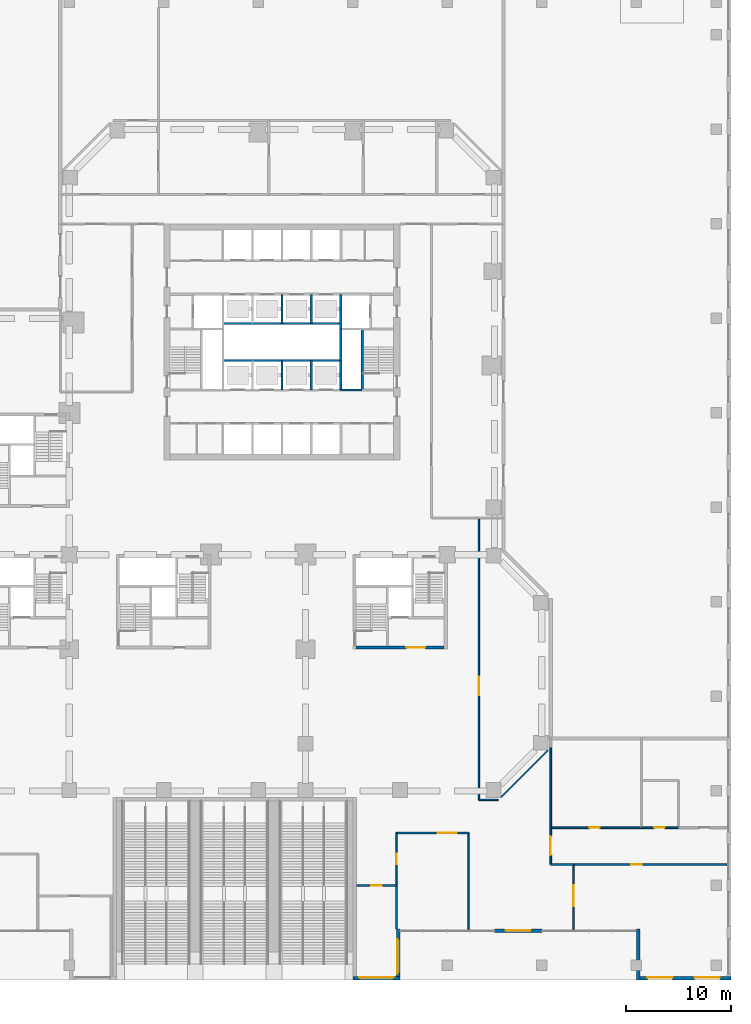
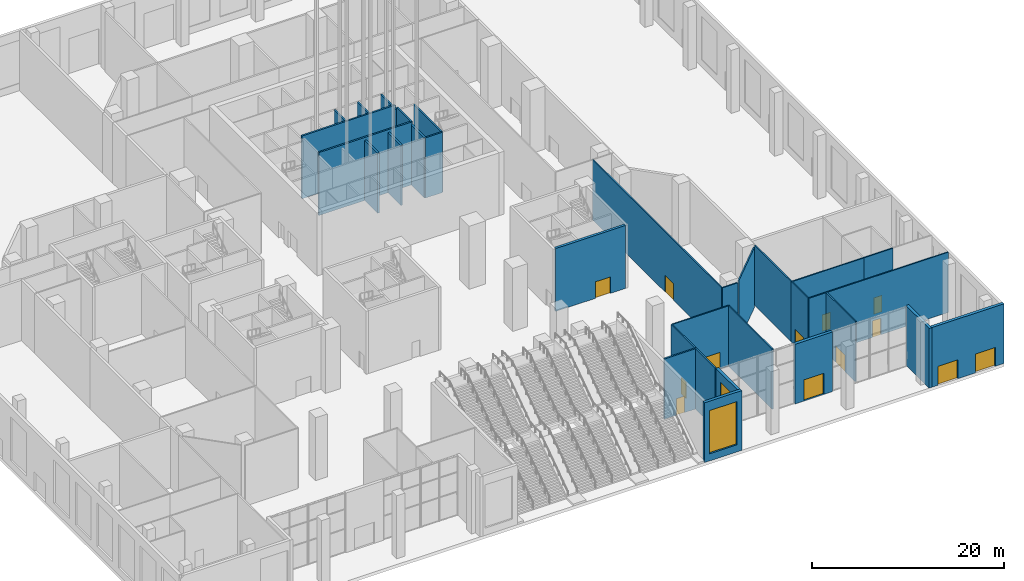
# One storey, part 12 of 32: 32 walls, 13 doors, 2 windows, 15 openings.
"""IFC4 building model written with IfcOpenShell, lengths in metres."""

from ifc_helpers import new_model, si_unit, direction, frame, frame_2d, origin, place, context, subcontext, project, spatial, rectangle, extrude, material, layer, layer_set, constituent, constituent_set, type_object, element, fill, save


model = new_model("IFC4")

# Units and contexts
model_context = context("Model", 3, precision=1e-05, world=origin(), true_north=direction((0.0, 1.0)))
body_context = subcontext(model_context, "Body", "Model", "MODEL_VIEW")
ifc_project = project(units=[si_unit("LENGTHUNIT", "METRE"), si_unit("AREAUNIT", "SQUARE_METRE"), si_unit("VOLUMEUNIT", "CUBIC_METRE"), si_unit("PLANEANGLEUNIT", "RADIAN"), si_unit("MASSUNIT", "GRAM", prefix="KILO")], contexts=[model_context])

# Site, building, storey
site_placement = place(None, origin())
site = spatial("IfcSite", under=ifc_project, at=site_placement, CompositionType="ELEMENT")
building_placement = place(site_placement, origin())
building = spatial("IfcBuilding", under=site, at=building_placement, Name="Quoin Convention Tower", CompositionType="ELEMENT")
storey_placement = place(building_placement, origin())
storey = spatial("IfcBuildingStorey", under=building, at=storey_placement, Name="L00", CompositionType="ELEMENT", Elevation=0.0)

# Wall, opening, window
ifc_material_1 = material(Name="Brick masonry", Category="masonry")
ifc_layer_1 = layer(ifc_material_1, 0.35009765625)
ifc_layer_set_1 = layer_set([ifc_layer_1], Name="Brick masonry")
wall_type_1 = type_object("IfcWallType", Name="Brick facade wall", PredefinedType="STANDARD", material=ifc_layer_set_1)
wall_1_placement = place(storey_placement, frame((63.0, 0.175048828125, 0.0), z_axis=(0.0, 0.0, 1.0), x_axis=(1.0, 0.0, 0.0)))
wall_1 = element("IfcWall", 1, at=wall_1_placement, inside=storey, type_object=wall_type_1, Name="fw-L00-63000_0", PredefinedType="STANDARD", context=body_context, shape_type="SweptSolid", body=[
    extrude(rectangle(XDim=4.5, YDim=0.35009765625, at=frame_2d((2.25, 0.0))), origin(), (0.0, 0.0, 1.0), 7.590087890625),
])
opening_1_placement = place(wall_1_placement, frame((0.60009765625, 0.0, 0.89990234375)))
opening_1 = element("IfcOpeningElement", 2, at=opening_1_placement, cuts=wall_1, Name="Opening W-06", PredefinedType="OPENING", context=body_context, shape_type="SweptSolid", body=[
    extrude(rectangle(XDim=3.300048828125, YDim=5.5, at=frame_2d((1.64990234375, 2.75))), frame((0.0, 0.18505859375, 0.0), z_axis=(0.0, -1.0, 0.0), x_axis=(1.0, 0.0, 0.0)), (0.0, 0.0, 1.0), 0.3701171875),
])
ifc_material_2 = material(Name="Aluminium", Category="aluminium")
ifc_constituent_1 = constituent(ifc_material_2, Name="Frame")
ifc_material_3 = material(Name="Insulated glass", Category="glass")
ifc_constituent_2 = constituent(ifc_material_3, Name="Glazing")
ifc_constituent_set_1 = constituent_set(constituents=[ifc_constituent_1, ifc_constituent_2], Name="Aluminium")
window_type = type_object("IfcWindowType", Name="Podium street window", PartitioningType="TRIPLE_PANEL_VERTICAL", PredefinedType="WINDOW", material=ifc_constituent_set_1)
window_1_placement = place(opening_1_placement, origin())
window_1 = element("IfcWindow", 3, at=window_1_placement, inside=storey, type_object=window_type, Name="win-L00-65250_175", OverallHeight=5.5, OverallWidth=3.300048828125, PartitioningType="SINGLE_PANEL", PredefinedType="WINDOW", context=body_context, shape_type="SweptSolid", body=[
    extrude(rectangle(XDim=3.300048828125, YDim=5.5, at=frame_2d((1.64990234375, 2.75))), frame((0.0, 0.0849609375, 0.0), z_axis=(0.0, -1.0, 0.0), x_axis=(1.0, 0.0, 0.0)), (0.0, 0.0, 1.0), 0.06005859375),
])
fill(opening_1, window_1)

wall_2_placement = place(storey_placement, frame((67.324951171875, 0.0, 0.0), z_axis=(0.0, 0.0, 1.0), x_axis=(0.0, 1.0, 0.0)))
wall_2 = element("IfcWall", 4, at=wall_2_placement, inside=storey, type_object=wall_type_1, Name="fw-L00-67500_0", PredefinedType="STANDARD", context=body_context, shape_type="SweptSolid", body=[
    extrude(rectangle(XDim=4.85009765625, YDim=0.35009765625, at=frame_2d((2.425048828125, 0.0))), origin(), (0.0, 0.0, 1.0), 7.590087890625),
])
opening_2_placement = place(wall_2_placement, frame((0.60009765625, 0.0, 0.89990234375)))
opening_2 = element("IfcOpeningElement", 5, at=opening_2_placement, cuts=wall_2, Name="Opening W-06", PredefinedType="OPENING", context=body_context, shape_type="SweptSolid", body=[
    extrude(rectangle(XDim=3.300048828125, YDim=5.5, at=frame_2d((1.64990234375, 2.75))), frame((0.0, 0.18505859375, 0.0), z_axis=(0.0, -1.0, 0.0), x_axis=(1.0, 0.0, 0.0)), (0.0, 0.0, 1.0), 0.3701171875),
])
window_2_placement = place(opening_2_placement, origin())
window_2 = element("IfcWindow", 6, at=window_2_placement, inside=storey, type_object=window_type, Name="win-L00-67325_2250", OverallHeight=5.5, OverallWidth=3.300048828125, PartitioningType="SINGLE_PANEL", PredefinedType="WINDOW", context=body_context, shape_type="SweptSolid", body=[
    extrude(rectangle(XDim=3.300048828125, YDim=5.5, at=frame_2d((1.64990234375, 2.75))), frame((0.0, 0.0849609375, 0.0), z_axis=(0.0, -1.0, 0.0), x_axis=(1.0, 0.0, 0.0)), (0.0, 0.0, 1.0), 0.06005859375),
])
fill(opening_2, window_2)

# Wall, opening, door
wall_3_placement = place(storey_placement, frame((76.5, 4.675048828125, 0.0), z_axis=(0.0, 0.0, 1.0), x_axis=(1.0, 0.0, 0.0)))
wall_3 = element("IfcWall", 7, at=wall_3_placement, inside=storey, type_object=wall_type_1, Name="fw-L00-76500_4675", PredefinedType="STANDARD", context=body_context, shape_type="SweptSolid", body=[
    extrude(rectangle(XDim=4.5, YDim=0.35009765625, at=frame_2d((2.25, 0.0))), origin(), (0.0, 0.0, 1.0), 7.590087890625),
])
opening_3_placement = place(wall_3_placement, frame((1.050048828125, 0.0, 0.0)))
opening_3 = element("IfcOpeningElement", 8, at=opening_3_placement, cuts=wall_3, Name="Opening D-T2", PredefinedType="OPENING", context=body_context, shape_type="SweptSolid", body=[
    extrude(rectangle(XDim=2.39990234375, YDim=2.699951171875, at=frame_2d((1.199951171875, 1.35009765625))), frame((0.0, 0.18505859375, 0.0), z_axis=(0.0, -1.0, 0.0), x_axis=(1.0, 0.0, 0.0)), (0.0, 0.0, 1.0), 0.3701171875),
])
ifc_constituent_3 = constituent(ifc_material_2, Name="Frame")
ifc_constituent_4 = constituent(ifc_material_3, Name="Glazing")
ifc_constituent_set_2 = constituent_set(constituents=[ifc_constituent_3, ifc_constituent_4], Name="Aluminium")
door_type_1 = type_object("IfcDoorType", Name="Entrance door", OperationType="DOUBLE_DOOR_SINGLE_SWING", PredefinedType="DOOR", material=ifc_constituent_set_2)
door_1_placement = place(opening_3_placement, frame((2.39990234375, 0.0, 0.0), z_axis=(0.0, 0.0, 1.0), x_axis=(-1.0, 0.0, 0.0)))
door_1 = element("IfcDoor", 9, at=door_1_placement, inside=storey, type_object=door_type_1, Name="dr-L00-76500_4675", OperationType="DOUBLE_DOOR_SINGLE_SWING", OverallHeight=2.699951171875, OverallWidth=2.39990234375, PredefinedType="DOOR", context=body_context, shape_type="SweptSolid", body=[
    extrude(rectangle(XDim=2.39990234375, YDim=2.699951171875, at=frame_2d((1.199951171875, 1.35009765625))), frame((0.0, -0.02978515625, 0.0), z_axis=(0.0, -1.0, 0.0), x_axis=(1.0, 0.0, 0.0)), (0.0, 0.0, 1.0), 0.050048828125),
])
fill(opening_3, door_1)

# Wall
wall_4_placement = place(storey_placement, frame((90.175048828125, 4.85009765625, 0.0), z_axis=(0.0, 0.0, 1.0), x_axis=(0.0, -1.0, 0.0)))
element("IfcWall", 10, at=wall_4_placement, inside=storey, type_object=wall_type_1, Name="fw-L00-90000_4500", PredefinedType="STANDARD", context=body_context, shape_type="SweptSolid", body=[
    extrude(rectangle(XDim=4.85009765625, YDim=0.35009765625, at=frame_2d((2.425048828125, 0.0))), origin(), (0.0, 0.0, 1.0), 7.590087890625),
])

# Wall, openings, doors
wall_5_placement = place(storey_placement, frame((90.0, 0.175048828125, 0.0), z_axis=(0.0, 0.0, 1.0), x_axis=(1.0, 0.0, 0.0)))
wall_5 = element("IfcWall", 11, at=wall_5_placement, inside=storey, type_object=wall_type_1, Name="fw-L00-90000_0", PredefinedType="STANDARD", context=body_context, shape_type="SweptSolid", body=[
    extrude(rectangle(XDim=9.0, YDim=0.35009765625, at=frame_2d((4.5, 0.0))), origin(), (0.0, 0.0, 1.0), 7.590087890625),
])
opening_4_placement = place(wall_5_placement, frame((1.050048828125, 0.0, 0.0)))
opening_4 = element("IfcOpeningElement", 12, at=opening_4_placement, cuts=wall_5, Name="Opening D-T5", PredefinedType="OPENING", context=body_context, shape_type="SweptSolid", body=[
    extrude(rectangle(XDim=2.39990234375, YDim=2.39990234375, at=frame_2d((1.199951171875, 1.199951171875))), frame((0.0, 0.18505859375, 0.0), z_axis=(0.0, -1.0, 0.0), x_axis=(1.0, 0.0, 0.0)), (0.0, 0.0, 1.0), 0.3701171875),
])
opening_5_placement = place(wall_5_placement, frame((5.550048828125, 0.0, 0.0)))
opening_5 = element("IfcOpeningElement", 13, at=opening_5_placement, cuts=wall_5, Name="Opening D-T5", PredefinedType="OPENING", context=body_context, shape_type="SweptSolid", body=[
    extrude(rectangle(XDim=2.39990234375, YDim=2.39990234375, at=frame_2d((1.199951171875, 1.199951171875))), frame((0.0, 0.18505859375, 0.0), z_axis=(0.0, -1.0, 0.0), x_axis=(1.0, 0.0, 0.0)), (0.0, 0.0, 1.0), 0.3701171875),
])
ifc_material_4 = material(Name="Galvanised steel", Category="steel")
door_type_2 = type_object("IfcDoorType", Name="Exit door", OperationType="DOUBLE_DOOR_SINGLE_SWING", PredefinedType="DOOR", material=ifc_material_4)
door_2_placement = place(opening_4_placement, frame((2.39990234375, 0.0, 0.0), z_axis=(0.0, 0.0, 1.0), x_axis=(-1.0, 0.0, 0.0)))
door_2 = element("IfcDoor", 14, at=door_2_placement, inside=storey, type_object=door_type_2, Name="dr-L00-92250_175", OperationType="DOUBLE_DOOR_SINGLE_SWING", OverallHeight=2.39990234375, OverallWidth=2.39990234375, PredefinedType="DOOR", context=body_context, shape_type="SweptSolid", body=[
    extrude(rectangle(XDim=2.39990234375, YDim=2.39990234375, at=frame_2d((1.199951171875, 1.199951171875))), frame((0.0, -0.02978515625, 0.0), z_axis=(0.0, -1.0, 0.0), x_axis=(1.0, 0.0, 0.0)), (0.0, 0.0, 1.0), 0.050048828125),
])
fill(opening_4, door_2)
door_3_placement = place(opening_5_placement, frame((2.39990234375, 0.0, 0.0), z_axis=(0.0, 0.0, 1.0), x_axis=(-1.0, 0.0, 0.0)))
door_3 = element("IfcDoor", 15, at=door_3_placement, inside=storey, type_object=door_type_2, Name="dr-L00-96750_175", OperationType="DOUBLE_DOOR_SINGLE_SWING", OverallHeight=2.39990234375, OverallWidth=2.39990234375, PredefinedType="DOOR", context=body_context, shape_type="SweptSolid", body=[
    extrude(rectangle(XDim=2.39990234375, YDim=2.39990234375, at=frame_2d((1.199951171875, 1.199951171875))), frame((0.0, -0.02978515625, 0.0), z_axis=(0.0, -1.0, 0.0), x_axis=(1.0, 0.0, 0.0)), (0.0, 0.0, 1.0), 0.050048828125),
])
fill(opening_5, door_3)

# Walls
ifc_material_5 = material(Name="Concrete C50", Category="concrete")
ifc_layer_2 = layer(ifc_material_5, 0.199951171875)
ifc_layer_set_2 = layer_set([ifc_layer_2], Name="Concrete C50")
wall_type_2 = type_object("IfcWallType", Name="Core shaft wall", PredefinedType="SOLIDWALL", material=ifc_layer_set_2)
wall_6_placement = place(storey_placement, frame((61.85009765625, 56.199951171875, 0.0), z_axis=(0.0, 0.0, 1.0), x_axis=(1.0, 0.0, 0.0)))
element("IfcWall", 16, at=wall_6_placement, inside=storey, type_object=wall_type_2, Name="cr-C1-L00-h6700_16850", PredefinedType="SOLIDWALL", context=body_context, shape_type="SweptSolid", body=[
    extrude(rectangle(XDim=2.0498046875, YDim=0.199951171875, at=frame_2d((1.02490234375, 0.0))), origin(), (0.0, 0.0, 1.0), 7.64990234375),
])
for number, where, z_axis, x_axis, name in (
    (17, (56.25, 56.199951171875, 0.0), (0.0, 0.0, 1.0), (0.0, 1.0, 0.0), "cr-C1-L00-v11250_6700"),
    (18, (56.25, 62.5, 0.0), (0.0, 0.0, 1.0), (0.0, 1.0, 0.0), "cr-C1-L00-v11250_13000"),
    (19, (59.050048828125, 56.199951171875, 0.0), (0.0, 0.0, 1.0), (0.0, 1.0, 0.0), "cr-C1-L00-v14050_6700"),
    (20, (59.050048828125, 62.5, 0.0), (0.0, 0.0, 1.0), (0.0, 1.0, 0.0), "cr-C1-L00-v14050_13000"),
    (21, (61.85009765625, 56.199951171875, 0.0), (0.0, 0.0, 1.0), (0.0, 1.0, 0.0), "cr-C1-L00-v16850_6700"),
):
    element("IfcWall", number, at=place(storey_placement, frame(where, z_axis=z_axis, x_axis=x_axis)), inside=storey, type_object=wall_type_2, Name=name, PredefinedType="SOLIDWALL", context=body_context, shape_type="SweptSolid", body=[
        extrude(rectangle(XDim=2.800048828125, YDim=0.199951171875, at=frame_2d((1.39990234375, 0.0))), origin(), (0.0, 0.0, 1.0), 7.64990234375),
    ])
wall_7_placement = place(storey_placement, frame((61.85009765625, 62.0, 0.0), z_axis=(0.0, 0.0, 1.0), x_axis=(0.0, 1.0, 0.0)))
element("IfcWall", 22, at=wall_7_placement, inside=storey, type_object=wall_type_2, Name="cr-C1-L00-v16850_12500", PredefinedType="SOLIDWALL", context=body_context, shape_type="SweptSolid", body=[
    extrude(rectangle(XDim=3.300048828125, YDim=0.199951171875, at=frame_2d((1.64990234375, 0.0))), origin(), (0.0, 0.0, 1.0), 7.64990234375),
])
wall_8_placement = place(storey_placement, frame((63.89990234375, 56.199951171875, 0.0), z_axis=(0.0, 0.0, 1.0), x_axis=(0.0, 1.0, 0.0)))
element("IfcWall", 23, at=wall_8_placement, inside=storey, type_object=wall_type_2, Name="cr-C1-L00-v18900_6700", PredefinedType="SOLIDWALL", context=body_context, shape_type="SweptSolid", body=[
    extrude(rectangle(XDim=5.800048828125, YDim=0.199951171875, at=frame_2d((2.89990234375, 0.0))), origin(), (0.0, 0.0, 1.0), 7.64990234375),
])
ifc_layer_3 = layer(ifc_material_5, 0.199951171875)
ifc_layer_set_3 = layer_set([ifc_layer_3], Name="Concrete C50")
wall_type_3 = type_object("IfcWallType", Name="Core shaft wall to the floor level over", PredefinedType="SOLIDWALL", material=ifc_layer_set_3)
for number, where, z_axis, x_axis, name in (
    (24, (50.64990234375, 59.0, 0.0), (0.0, 0.0, 1.0), (1.0, 0.0, 0.0), "cr-C1-L00-h9500_5650"),
    (25, (50.64990234375, 62.5, 0.0), (0.0, 0.0, 1.0), (1.0, 0.0, 0.0), "cr-C1-L00-h13000_5650"),
):
    element("IfcWall", number, at=place(storey_placement, frame(where, z_axis=z_axis, x_axis=x_axis)), inside=storey, type_object=wall_type_3, Name=name, PredefinedType="SOLIDWALL", context=body_context, shape_type="SweptSolid", body=[
        extrude(rectangle(XDim=11.2001953125, YDim=0.199951171875, at=frame_2d((5.60009765625, 0.0))), origin(), (0.0, 0.0, 1.0), 8.0),
    ])
wall_9_placement = place(storey_placement, frame((61.85009765625, 59.0, 0.0), z_axis=(0.0, 0.0, 1.0), x_axis=(0.0, 1.0, 0.0)))
element("IfcWall", 26, at=wall_9_placement, inside=storey, type_object=wall_type_3, Name="cr-C1-L00-v16850_9500", PredefinedType="SOLIDWALL", context=body_context, shape_type="SweptSolid", body=[
    extrude(rectangle(XDim=3.0, YDim=0.199951171875, at=frame_2d((1.5, 0.0))), origin(), (0.0, 0.0, 1.0), 8.0),
])
ifc_material_6 = material(Name="Plasterboard")
ifc_layer_4 = layer(ifc_material_6, 0.012451171875, Name="Finish")
ifc_material_7 = material(Name="Steel stud framing", Category="steel")
ifc_layer_5 = layer(ifc_material_7, 0.175048828125, Name="Structure")
ifc_layer_6 = layer(ifc_material_6, 0.012451171875, Name="Finish")
ifc_layer_set_4 = layer_set([ifc_layer_4, ifc_layer_5, ifc_layer_6], Name="Steel stud framing")
wall_type_4 = type_object("IfcWallType", Name="Fire-rated wall 200", PredefinedType="PARTITIONING", material=ifc_layer_set_4)
wall_10_placement = place(storey_placement, frame((67.14990234375, 4.85009765625, 0.0), z_axis=(0.0, 0.0, 1.0), x_axis=(0.0, 1.0, 0.0)))
element("IfcWall", 27, at=wall_10_placement, inside=storey, type_object=wall_type_4, Name="pw-L00-005", PredefinedType="PARTITIONING", context=body_context, shape_type="SweptSolid", body=[
    extrude(rectangle(XDim=4.14990234375, YDim=0.199951171875, at=frame_2d((2.074951171875, 0.0))), origin(), (0.0, 0.0, 1.0), 7.64990234375),
])

# Wall, opening, door
wall_11_placement = place(storey_placement, frame((63.35009765625, 9.0, 0.0), z_axis=(0.0, 0.0, 1.0), x_axis=(1.0, 0.0, 0.0)))
wall_11 = element("IfcWall", 28, at=wall_11_placement, inside=storey, type_object=wall_type_4, Name="pw-L00-012", PredefinedType="PARTITIONING", context=body_context, shape_type="SweptSolid", body=[
    extrude(rectangle(XDim=3.7998046875, YDim=0.199951171875, at=frame_2d((1.89990234375, 0.0))), origin(), (0.0, 0.0, 1.0), 7.64990234375),
])
opening_6_placement = place(wall_11_placement, frame((1.39990234375, 0.0, 0.0)))
opening_6 = element("IfcOpeningElement", 29, at=opening_6_placement, cuts=wall_11, Name="Opening DPD0-05", PredefinedType="OPENING", context=body_context, shape_type="SweptSolid", body=[
    extrude(rectangle(XDim=1.0, YDim=2.10009765625, at=frame_2d((0.5, 1.050048828125))), frame((0.0, 0.10986328125, 0.0), z_axis=(0.0, -1.0, 0.0), x_axis=(1.0, 0.0, 0.0)), (0.0, 0.0, 1.0), 0.219970703125),
])
ifc_material_8 = material(Name="Steel door leaf", Category="steel")
door_type_3 = type_object("IfcDoorType", Name="Fire door 1000", OperationType="SINGLE_SWING_LEFT", PredefinedType="DOOR", material=ifc_material_8)
door_4_placement = place(opening_6_placement, frame((1.0, 0.0, 0.0), z_axis=(0.0, 0.0, 1.0), x_axis=(-1.0, 0.0, 0.0)))
door_4 = element("IfcDoor", 30, at=door_4_placement, inside=storey, type_object=door_type_3, Name="dr-L00-036", OperationType="SINGLE_SWING_LEFT", OverallHeight=2.10009765625, OverallWidth=1.0, PredefinedType="DOOR", context=body_context, shape_type="SweptSolid", body=[
    extrude(rectangle(XDim=1.0, YDim=2.10009765625, at=frame_2d((0.5, 1.050048828125))), frame((0.0, 0.02490234375, 0.0), z_axis=(0.0, -1.0, 0.0), x_axis=(1.0, 0.0, 0.0)), (0.0, 0.0, 1.0), 0.050048828125),
])
fill(opening_6, door_4)

# Wall
ifc_layer_7 = layer(ifc_material_6, 0.012451171875, Name="Finish")
ifc_layer_8 = layer(ifc_material_7, 0.125, Name="Structure")
ifc_layer_9 = layer(ifc_material_6, 0.012451171875, Name="Finish")
ifc_layer_set_5 = layer_set([ifc_layer_7, ifc_layer_8, ifc_layer_9], Name="Steel stud framing")
wall_type_5 = type_object("IfcWallType", Name="Partition wall 150", PredefinedType="PARTITIONING", material=ifc_layer_set_5)
wall_12_placement = place(storey_placement, frame((74.0, 4.85009765625, 0.0), z_axis=(0.0, 0.0, 1.0), x_axis=(0.0, 1.0, 0.0)))
element("IfcWall", 31, at=wall_12_placement, inside=storey, type_object=wall_type_5, Name="pw-L00-006", PredefinedType="PARTITIONING", context=body_context, shape_type="SweptSolid", body=[
    extrude(rectangle(XDim=9.14990234375, YDim=0.14990234375, at=frame_2d((4.574951171875, 0.0))), origin(), (0.0, 0.0, 1.0), 7.64990234375),
])

# Wall, opening, door
wall_13_placement = place(storey_placement, frame((84.0, 4.85009765625, 0.0), z_axis=(0.0, 0.0, 1.0), x_axis=(0.0, 1.0, 0.0)))
wall_13 = element("IfcWall", 32, at=wall_13_placement, inside=storey, type_object=wall_type_5, Name="pw-L00-007", PredefinedType="PARTITIONING", context=body_context, shape_type="SweptSolid", body=[
    extrude(rectangle(XDim=6.14990234375, YDim=0.14990234375, at=frame_2d((3.074951171875, 0.0))), origin(), (0.0, 0.0, 1.0), 7.64990234375),
])
opening_7_placement = place(wall_13_placement, frame((2.14990234375, 0.0, 0.0)))
opening_7 = element("IfcOpeningElement", 33, at=opening_7_placement, cuts=wall_13, Name="Opening DPD0-03", PredefinedType="OPENING", context=body_context, shape_type="SweptSolid", body=[
    extrude(rectangle(XDim=2.0, YDim=2.10009765625, at=frame_2d((1.0, 1.050048828125))), frame((0.0, 0.0849609375, 0.0), z_axis=(0.0, -1.0, 0.0), x_axis=(1.0, 0.0, 0.0)), (0.0, 0.0, 1.0), 0.169921875),
])
door_type_4 = type_object("IfcDoorType", Name="Double leaf door 2000", OperationType="DOUBLE_DOOR_SINGLE_SWING", PredefinedType="DOOR", material=ifc_material_8)
door_5_placement = place(opening_7_placement, frame((2.0, 0.0, 0.0), z_axis=(0.0, 0.0, 1.0), x_axis=(-1.0, 0.0, 0.0)))
door_5 = element("IfcDoor", 34, at=door_5_placement, inside=storey, type_object=door_type_4, Name="dr-L00-029", OperationType="DOUBLE_DOOR_SINGLE_SWING", OverallHeight=2.10009765625, OverallWidth=2.0, PredefinedType="DOOR", context=body_context, shape_type="SweptSolid", body=[
    extrude(rectangle(XDim=2.0, YDim=2.10009765625, at=frame_2d((1.0, 1.050048828125))), frame((0.0, 0.02490234375, 0.0), z_axis=(0.0, -1.0, 0.0), x_axis=(1.0, 0.0, 0.0)), (0.0, 0.0, 1.0), 0.050048828125),
])
fill(opening_7, door_5)

wall_14_placement = place(storey_placement, frame((67.14990234375, 9.0, 0.0), z_axis=(0.0, 0.0, 1.0), x_axis=(0.0, 1.0, 0.0)))
wall_14 = element("IfcWall", 35, at=wall_14_placement, inside=storey, type_object=wall_type_5, Name="pw-L00-013", PredefinedType="PARTITIONING", context=body_context, shape_type="SweptSolid", body=[
    extrude(rectangle(XDim=5.0, YDim=0.14990234375, at=frame_2d((2.5, 0.0))), origin(), (0.0, 0.0, 1.0), 7.64990234375),
])
opening_8_placement = place(wall_14_placement, frame((2.0, 0.0, 0.0)))
opening_8 = element("IfcOpeningElement", 36, at=opening_8_placement, cuts=wall_14, Name="Opening DPD0-06", PredefinedType="OPENING", context=body_context, shape_type="SweptSolid", body=[
    extrude(rectangle(XDim=1.0, YDim=2.10009765625, at=frame_2d((0.5, 1.050048828125))), frame((0.0, 0.0849609375, 0.0), z_axis=(0.0, -1.0, 0.0), x_axis=(1.0, 0.0, 0.0)), (0.0, 0.0, 1.0), 0.169921875),
])
door_type_5 = type_object("IfcDoorType", Name="Single leaf door 1000", OperationType="SINGLE_SWING_LEFT", PredefinedType="DOOR", material=ifc_material_8)
door_6_placement = place(opening_8_placement, frame((1.0, 0.0, 0.0), z_axis=(0.0, 0.0, 1.0), x_axis=(-1.0, 0.0, 0.0)))
door_6 = element("IfcDoor", 37, at=door_6_placement, inside=storey, type_object=door_type_5, Name="dr-L00-039", OperationType="SINGLE_SWING_LEFT", OverallHeight=2.10009765625, OverallWidth=1.0, PredefinedType="DOOR", context=body_context, shape_type="SweptSolid", body=[
    extrude(rectangle(XDim=1.0, YDim=2.10009765625, at=frame_2d((0.5, 1.050048828125))), frame((0.0, 0.02490234375, 0.0), z_axis=(0.0, -1.0, 0.0), x_axis=(1.0, 0.0, 0.0)), (0.0, 0.0, 1.0), 0.050048828125),
])
fill(opening_8, door_6)

# Wall
wall_15_placement = place(storey_placement, frame((81.85009765625, 11.0, 0.0), z_axis=(0.0, 0.0, 1.0), x_axis=(1.0, 0.0, 0.0)))
element("IfcWall", 38, at=wall_15_placement, inside=storey, type_object=wall_type_5, Name="pw-L00-017", PredefinedType="PARTITIONING", context=body_context, shape_type="SweptSolid", body=[
    extrude(rectangle(XDim=2.14990234375, YDim=0.14990234375, at=frame_2d((1.074951171875, 0.0))), origin(), (0.0, 0.0, 1.0), 7.64990234375),
])

# Wall, opening, door
wall_16_placement = place(storey_placement, frame((81.85009765625, 11.0, 0.0), z_axis=(0.0, 0.0, 1.0), x_axis=(0.0, 1.0, 0.0)))
wall_16 = element("IfcWall", 39, at=wall_16_placement, inside=storey, type_object=wall_type_5, Name="pw-L00-018", PredefinedType="PARTITIONING", context=body_context, shape_type="SweptSolid", body=[
    extrude(rectangle(XDim=3.5, YDim=0.14990234375, at=frame_2d((1.75, 0.0))), origin(), (0.0, 0.0, 1.0), 7.64990234375),
])
opening_9_placement = place(wall_16_placement, frame((0.89990234375, 0.0, 0.0)))
opening_9 = element("IfcOpeningElement", 40, at=opening_9_placement, cuts=wall_16, Name="Opening DPD0-10", PredefinedType="OPENING", context=body_context, shape_type="SweptSolid", body=[
    extrude(rectangle(XDim=1.800048828125, YDim=2.10009765625, at=frame_2d((0.89990234375, 1.050048828125))), frame((0.0, 0.0849609375, 0.0), z_axis=(0.0, -1.0, 0.0), x_axis=(1.0, 0.0, 0.0)), (0.0, 0.0, 1.0), 0.169921875),
])
door_type_6 = type_object("IfcDoorType", Name="Double leaf door 1800", OperationType="DOUBLE_DOOR_SINGLE_SWING", PredefinedType="DOOR", material=ifc_material_8)
door_7_placement = place(opening_9_placement, frame((1.800048828125, 0.0, 0.0), z_axis=(0.0, 0.0, 1.0), x_axis=(-1.0, 0.0, 0.0)))
door_7 = element("IfcDoor", 41, at=door_7_placement, inside=storey, type_object=door_type_6, Name="dr-L00-031", OperationType="DOUBLE_DOOR_SINGLE_SWING", OverallHeight=2.10009765625, OverallWidth=1.800048828125, PredefinedType="DOOR", context=body_context, shape_type="SweptSolid", body=[
    extrude(rectangle(XDim=1.800048828125, YDim=2.10009765625, at=frame_2d((0.89990234375, 1.050048828125))), frame((0.0, 0.02490234375, 0.0), z_axis=(0.0, -1.0, 0.0), x_axis=(1.0, 0.0, 0.0)), (0.0, 0.0, 1.0), 0.050048828125),
])
fill(opening_9, door_7)

wall_17_placement = place(storey_placement, frame((84.0, 11.0, 0.0), z_axis=(0.0, 0.0, 1.0), x_axis=(1.0, 0.0, 0.0)))
wall_17 = element("IfcWall", 42, at=wall_17_placement, inside=storey, type_object=wall_type_5, Name="pw-L00-019", PredefinedType="PARTITIONING", context=body_context, shape_type="SweptSolid", body=[
    extrude(rectangle(XDim=14.64990234375, YDim=0.14990234375, at=frame_2d((7.324951171875, 0.0))), origin(), (0.0, 0.0, 1.0), 7.64990234375),
])
opening_10_placement = place(wall_17_placement, frame((5.5, 0.0, 0.0)))
opening_10 = element("IfcOpeningElement", 43, at=opening_10_placement, cuts=wall_17, Name="Opening DPD0-11", PredefinedType="OPENING", context=body_context, shape_type="SweptSolid", body=[
    extrude(rectangle(XDim=1.0, YDim=2.10009765625, at=frame_2d((0.5, 1.050048828125))), frame((0.0, 0.0849609375, 0.0), z_axis=(0.0, -1.0, 0.0), x_axis=(1.0, 0.0, 0.0)), (0.0, 0.0, 1.0), 0.169921875),
])
door_8_placement = place(opening_10_placement, frame((1.0, 0.0, 0.0), z_axis=(0.0, 0.0, 1.0), x_axis=(-1.0, 0.0, 0.0)))
door_8 = element("IfcDoor", 44, at=door_8_placement, inside=storey, type_object=door_type_5, Name="dr-L00-030", OperationType="SINGLE_SWING_RIGHT", OverallHeight=2.10009765625, OverallWidth=1.0, PredefinedType="DOOR", context=body_context, shape_type="SweptSolid", body=[
    extrude(rectangle(XDim=1.0, YDim=2.10009765625, at=frame_2d((0.5, 1.050048828125))), frame((0.0, 0.02490234375, 0.0), z_axis=(0.0, -1.0, 0.0), x_axis=(1.0, 0.0, 0.0)), (0.0, 0.0, 1.0), 0.050048828125),
])
fill(opening_10, door_8)

wall_18_placement = place(storey_placement, frame((67.14990234375, 14.0, 0.0), z_axis=(0.0, 0.0, 1.0), x_axis=(1.0, 0.0, 0.0)))
wall_18 = element("IfcWall", 45, at=wall_18_placement, inside=storey, type_object=wall_type_5, Name="pw-L00-025", PredefinedType="PARTITIONING", context=body_context, shape_type="SweptSolid", body=[
    extrude(rectangle(XDim=6.85009765625, YDim=0.14990234375, at=frame_2d((3.425048828125, 0.0))), origin(), (0.0, 0.0, 1.0), 7.64990234375),
])
opening_11_placement = place(wall_18_placement, frame((3.949951171875, 0.0, 0.0)))
opening_11 = element("IfcOpeningElement", 46, at=opening_11_placement, cuts=wall_18, Name="Opening DPD0-14", PredefinedType="OPENING", context=body_context, shape_type="SweptSolid", body=[
    extrude(rectangle(XDim=1.800048828125, YDim=2.10009765625, at=frame_2d((0.89990234375, 1.050048828125))), frame((0.0, 0.0849609375, 0.0), z_axis=(0.0, -1.0, 0.0), x_axis=(1.0, 0.0, 0.0)), (0.0, 0.0, 1.0), 0.169921875),
])
door_9_placement = place(opening_11_placement, frame((1.800048828125, 0.0, 0.0), z_axis=(0.0, 0.0, 1.0), x_axis=(-1.0, 0.0, 0.0)))
door_9 = element("IfcDoor", 47, at=door_9_placement, inside=storey, type_object=door_type_6, Name="dr-L00-038", OperationType="DOUBLE_DOOR_SINGLE_SWING", OverallHeight=2.10009765625, OverallWidth=1.800048828125, PredefinedType="DOOR", context=body_context, shape_type="SweptSolid", body=[
    extrude(rectangle(XDim=1.800048828125, YDim=2.10009765625, at=frame_2d((0.89990234375, 1.050048828125))), frame((0.0, 0.02490234375, 0.0), z_axis=(0.0, -1.0, 0.0), x_axis=(1.0, 0.0, 0.0)), (0.0, 0.0, 1.0), 0.050048828125),
])
fill(opening_11, door_9)

wall_19_placement = place(storey_placement, frame((81.85009765625, 14.5, 0.0), z_axis=(0.0, 0.0, 1.0), x_axis=(1.0, 0.0, 0.0)))
wall_19 = element("IfcWall", 48, at=wall_19_placement, inside=storey, type_object=wall_type_5, Name="pw-L00-026", PredefinedType="PARTITIONING", context=body_context, shape_type="SweptSolid", body=[
    extrude(rectangle(XDim=8.64990234375, YDim=0.14990234375, at=frame_2d((4.324951171875, 0.0))), origin(), (0.0, 0.0, 1.0), 7.64990234375),
])
opening_12_placement = place(wall_19_placement, frame((3.64990234375, 0.0, 0.0)))
opening_12 = element("IfcOpeningElement", 49, at=opening_12_placement, cuts=wall_19, Name="Opening DPD0-15", PredefinedType="OPENING", context=body_context, shape_type="SweptSolid", body=[
    extrude(rectangle(XDim=1.0, YDim=2.10009765625, at=frame_2d((0.5, 1.050048828125))), frame((0.0, 0.0849609375, 0.0), z_axis=(0.0, -1.0, 0.0), x_axis=(1.0, 0.0, 0.0)), (0.0, 0.0, 1.0), 0.169921875),
])
door_type_7 = type_object("IfcDoorType", Name="Washroom door 1000", OperationType="SINGLE_SWING_RIGHT", PredefinedType="DOOR", material=ifc_material_8)
door_10_placement = place(opening_12_placement, origin())
door_10 = element("IfcDoor", 50, at=door_10_placement, inside=storey, type_object=door_type_7, Name="dr-L00-032", OperationType="SINGLE_SWING_LEFT", OverallHeight=2.10009765625, OverallWidth=1.0, PredefinedType="DOOR", context=body_context, shape_type="SweptSolid", body=[
    extrude(rectangle(XDim=1.0, YDim=2.10009765625, at=frame_2d((0.5, 1.050048828125))), frame((0.0, 0.02490234375, 0.0), z_axis=(0.0, -1.0, 0.0), x_axis=(1.0, 0.0, 0.0)), (0.0, 0.0, 1.0), 0.050048828125),
])
fill(opening_12, door_10)

# Walls
wall_20_placement = place(storey_placement, frame((81.85009765625, 14.5, 0.0), z_axis=(0.0, 0.0, 1.0), x_axis=(0.0, 1.0, 0.0)))
element("IfcWall", 51, at=wall_20_placement, inside=storey, type_object=wall_type_5, Name="pw-L00-027", PredefinedType="PARTITIONING", context=body_context, shape_type="SweptSolid", body=[
    extrude(rectangle(XDim=7.64794921875, YDim=0.14990234375, at=frame_2d((3.823974609375, 0.0))), origin(), (0.0, 0.0, 1.0), 7.64990234375),
])
wall_21_placement = place(storey_placement, frame((75.0, 17.14990234375, 0.0), z_axis=(0.0, 0.0, 1.0), x_axis=(1.0, 0.0, 0.0)))
element("IfcWall", 52, at=wall_21_placement, inside=storey, type_object=wall_type_5, Name="pw-L00-034", PredefinedType="PARTITIONING", context=body_context, shape_type="SweptSolid", body=[
    extrude(rectangle(XDim=1.85205078125, YDim=0.14990234375, at=frame_2d((0.926025390625, 0.0))), origin(), (0.0, 0.0, 1.0), 7.64990234375),
])

# Wall, opening, door
wall_22_placement = place(storey_placement, frame((75.0, 17.14990234375, 0.0), z_axis=(0.0, 0.0, 1.0), x_axis=(0.0, 1.0, 0.0)))
wall_22 = element("IfcWall", 53, at=wall_22_placement, inside=storey, type_object=wall_type_5, Name="pw-L00-035", PredefinedType="PARTITIONING", context=body_context, shape_type="SweptSolid", body=[
    extrude(rectangle(XDim=26.85009765625, YDim=0.14990234375, at=frame_2d((13.425048828125, 0.0))), origin(), (0.0, 0.0, 1.0), 7.64990234375),
])
opening_13_placement = place(wall_22_placement, frame((9.949951171875, 0.0, 0.0)))
opening_13 = element("IfcOpeningElement", 54, at=opening_13_placement, cuts=wall_22, Name="Opening DPD0-18", PredefinedType="OPENING", context=body_context, shape_type="SweptSolid", body=[
    extrude(rectangle(XDim=1.800048828125, YDim=2.10009765625, at=frame_2d((0.89990234375, 1.050048828125))), frame((0.0, 0.0849609375, 0.0), z_axis=(0.0, -1.0, 0.0), x_axis=(1.0, 0.0, 0.0)), (0.0, 0.0, 1.0), 0.169921875),
])
door_11_placement = place(opening_13_placement, frame((1.800048828125, 0.0, 0.0), z_axis=(0.0, 0.0, 1.0), x_axis=(-1.0, 0.0, 0.0)))
door_11 = element("IfcDoor", 55, at=door_11_placement, inside=storey, type_object=door_type_6, Name="dr-L00-040", OperationType="DOUBLE_DOOR_SINGLE_SWING", OverallHeight=2.10009765625, OverallWidth=1.800048828125, PredefinedType="DOOR", context=body_context, shape_type="SweptSolid", body=[
    extrude(rectangle(XDim=1.800048828125, YDim=2.10009765625, at=frame_2d((0.89990234375, 1.050048828125))), frame((0.0, 0.02490234375, 0.0), z_axis=(0.0, -1.0, 0.0), x_axis=(1.0, 0.0, 0.0)), (0.0, 0.0, 1.0), 0.050048828125),
])
fill(opening_13, door_11)

# Wall
wall_23_placement = place(storey_placement, frame((77.1201171875, 17.41796875, 0.0), z_axis=(0.0, 0.0, 1.0), x_axis=(0.707106781187, 0.707106781187, 0.0)))
element("IfcWall", 56, at=wall_23_placement, inside=storey, type_object=wall_type_5, Name="pw-L00-036", PredefinedType="PARTITIONING", context=body_context, shape_type="SweptSolid", body=[
    extrude(rectangle(XDim=6.31005859375, YDim=0.14990234375, at=frame_2d((3.155029296875, 0.0))), origin(), (0.0, 0.0, 1.0), 7.64990234375),
])

# Wall, opening, door
ifc_material_9 = material(Name="Concrete C100 (100 MPa)", Category="concrete")
ifc_layer_10 = layer(ifc_material_9, 0.300048828125)
ifc_layer_set_6 = layer_set([ifc_layer_10], Name="Concrete C100 (100 MPa)")
wall_type_6 = type_object("IfcWallType", Name="RC CORE WALL 300 C100", PredefinedType="SHEAR", material=ifc_layer_set_6)
wall_24_placement = place(storey_placement, frame((63.300048828125, 31.64990234375, 0.0), z_axis=(0.0, 0.0, 1.0), x_axis=(1.0, 0.0, 0.0)))
wall_24 = element("IfcWall", 57, at=wall_24_placement, inside=storey, type_object=wall_type_6, Name="cwl-P5-L00-S", PredefinedType="SHEAR", context=body_context, shape_type="SweptSolid", body=[
    extrude(rectangle(XDim=8.39990234375, YDim=0.300048828125, at=frame_2d((4.199951171875, 0.0))), origin(), (0.0, 0.0, 1.0), 8.0),
])
opening_14_placement = place(wall_24_placement, frame((4.800048828125, 0.0, 0.0)))
opening_14 = element("IfcOpeningElement", 58, at=opening_14_placement, cuts=wall_24, Name="Opening DCV0-63", PredefinedType="OPENING", context=body_context, shape_type="SweptSolid", body=[
    extrude(rectangle(XDim=1.800048828125, YDim=2.10009765625, at=frame_2d((0.89990234375, 1.050048828125))), frame((0.0, 0.159912109375, 0.0), z_axis=(0.0, -1.0, 0.0), x_axis=(1.0, 0.0, 0.0)), (0.0, 0.0, 1.0), 0.320068359375),
])
door_type_8 = type_object("IfcDoorType", Name="Goods lobby door 1800 x 2100", OperationType="SINGLE_SWING_LEFT", PredefinedType="DOOR", material=ifc_material_8)
door_12_placement = place(opening_14_placement, origin())
door_12 = element("IfcDoor", 59, at=door_12_placement, inside=storey, type_object=door_type_8, Name="cd-P5-L00-R2-S", OperationType="SINGLE_SWING_LEFT", OverallHeight=2.10009765625, OverallWidth=1.800048828125, PredefinedType="DOOR", context=body_context, shape_type="SweptSolid", body=[
    extrude(rectangle(XDim=1.800048828125, YDim=2.10009765625, at=frame_2d((0.89990234375, 1.050048828125))), frame((0.0, 0.02490234375, 0.0), z_axis=(0.0, -1.0, 0.0), x_axis=(1.0, 0.0, 0.0)), (0.0, 0.0, 1.0), 0.050048828125),
])
fill(opening_14, door_12)

ifc_layer_11 = layer(ifc_material_6, 0.012451171875, Name="Finish")
ifc_layer_12 = layer(ifc_material_7, 0.125, Name="Structure")
ifc_layer_13 = layer(ifc_material_6, 0.012451171875, Name="Finish")
ifc_layer_set_7 = layer_set([ifc_layer_11, ifc_layer_12, ifc_layer_13], Name="Steel stud framing")
wall_type_7 = type_object("IfcWallType", Name="Wet area wall 150", PredefinedType="PARTITIONING", material=ifc_layer_set_7)
wall_25_placement = place(storey_placement, frame((90.5, 14.5, 0.0), z_axis=(0.0, 0.0, 1.0), x_axis=(1.0, 0.0, 0.0)))
wall_25 = element("IfcWall", 60, at=wall_25_placement, inside=storey, type_object=wall_type_7, Name="pw-L00-028", PredefinedType="PARTITIONING", context=body_context, shape_type="SweptSolid", body=[
    extrude(rectangle(XDim=3.5, YDim=0.14990234375, at=frame_2d((1.75, 0.0))), origin(), (0.0, 0.0, 1.0), 7.64990234375),
])
opening_15_placement = place(wall_25_placement, frame((1.199951171875, 0.0, 0.0)))
opening_15 = element("IfcOpeningElement", 61, at=opening_15_placement, cuts=wall_25, Name="Opening DPD0-16", PredefinedType="OPENING", context=body_context, shape_type="SweptSolid", body=[
    extrude(rectangle(XDim=1.0, YDim=2.10009765625, at=frame_2d((0.5, 1.050048828125))), frame((0.0, 0.0849609375, 0.0), z_axis=(0.0, -1.0, 0.0), x_axis=(1.0, 0.0, 0.0)), (0.0, 0.0, 1.0), 0.169921875),
])
door_13_placement = place(opening_15_placement, origin())
door_13 = element("IfcDoor", 62, at=door_13_placement, inside=storey, type_object=door_type_7, Name="dr-L00-033", OperationType="SINGLE_SWING_LEFT", OverallHeight=2.10009765625, OverallWidth=1.0, PredefinedType="DOOR", context=body_context, shape_type="SweptSolid", body=[
    extrude(rectangle(XDim=1.0, YDim=2.10009765625, at=frame_2d((0.5, 1.050048828125))), frame((0.0, 0.02490234375, 0.0), z_axis=(0.0, -1.0, 0.0), x_axis=(1.0, 0.0, 0.0)), (0.0, 0.0, 1.0), 0.050048828125),
])
fill(opening_15, door_13)

save(model, "model.ifc")
